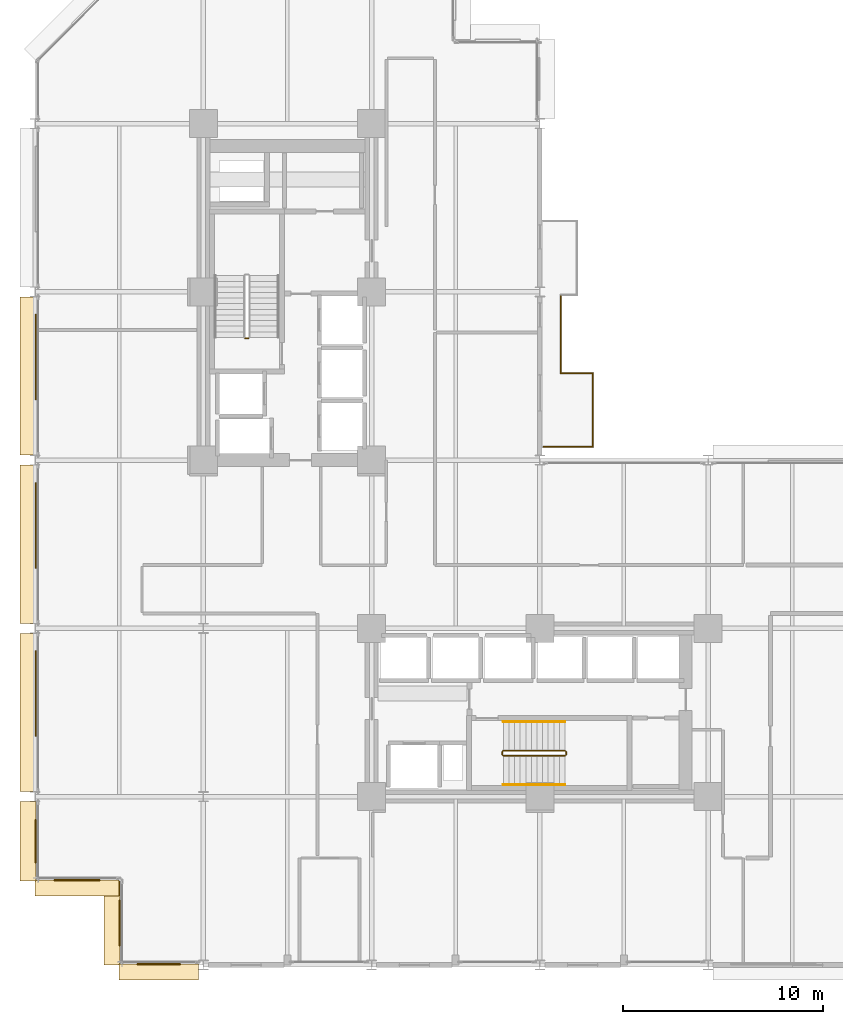
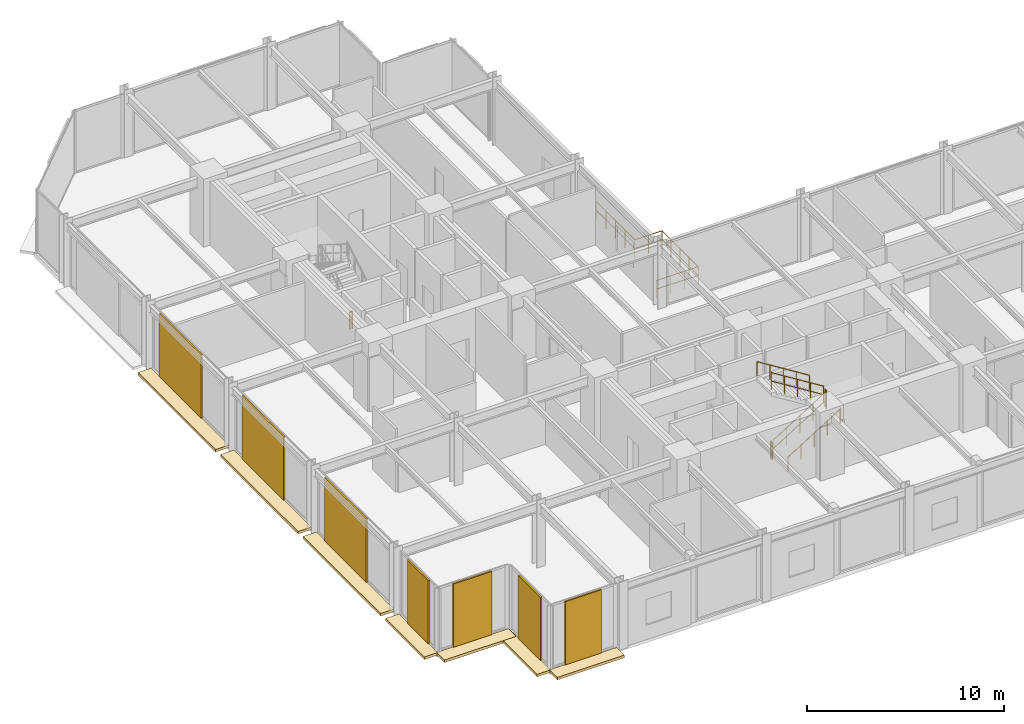
# One storey, part 23 of 25: 14 coverings, 11 railings.
"""IFC4 building model written with IfcOpenShell, lengths in metres."""

from ifc_helpers import new_model, si_unit, direction, frame, origin, origin_2d, place, context, subcontext, project, spatial, polyline, rectangle, circle, outline, extrude, material, layer, layer_set, type_object, element, save


model = new_model("IFC4")

# Units and contexts
model_context = context("Model", 3, precision=1e-05, world=origin(), true_north=direction((0.0, 1.0)))
body_context = subcontext(model_context, "Body", "Model", "MODEL_VIEW")
ifc_project = project(units=[si_unit("LENGTHUNIT", "METRE"), si_unit("AREAUNIT", "SQUARE_METRE"), si_unit("VOLUMEUNIT", "CUBIC_METRE"), si_unit("PLANEANGLEUNIT", "RADIAN"), si_unit("MASSUNIT", "GRAM", prefix="KILO")], contexts=[model_context])

# Site, building, storey
site_placement = place(None, origin())
site = spatial("IfcSite", under=ifc_project, at=site_placement, CompositionType="ELEMENT")
building_placement = place(site_placement, origin())
building = spatial("IfcBuilding", under=site, at=building_placement, Name="Nerrivon Quay Data Exchange", CompositionType="ELEMENT")
storey_placement = place(building_placement, frame((0.0, 0.0, 24.800048828125)))
storey = spatial("IfcBuildingStorey", under=building, at=storey_placement, Name="L05", CompositionType="ELEMENT", Elevation=24.800048828125)

# Coverings
ifc_material_1 = material(Name="Architectural terracotta ceramic", Category="masonry")
ifc_layer_1 = layer(ifc_material_1, 0.159912109375)
ifc_layer_set_1 = layer_set([ifc_layer_1], Name="Architectural terracotta ceramic")
covering_type_1 = type_object("IfcCoveringType", Name="COV-BLD-TERR", PredefinedType="CLADDING", material=ifc_layer_set_1)
covering_1_placement = place(storey_placement, frame((0.0, 0.0, -0.16015625)))
element("IfcCovering", 1, at=covering_1_placement, inside=storey, type_object=covering_type_1, Name="L05 Horizontal Terracotta SOLAR SCREEN Blade", PredefinedType="CLADDING", context=body_context, shape_type="SweptSolid", body=[
    extrude(outline(polyline([(8.14990234375, 0.0400390625), (4.199951171875, 0.0400390625), (4.199951171875, -0.75), (8.14990234375, -0.75), (8.14990234375, 0.0400390625)])), origin(), (0.0, 0.0, 1.0), 0.16015625),
])
covering_2_placement = place(storey_placement, frame((0.0, 0.0, -0.16015625)))
element("IfcCovering", 2, at=covering_2_placement, inside=storey, type_object=covering_type_1, Name="L05 Horizontal Terracotta SOLAR SCREEN Blade", PredefinedType="CLADDING", context=body_context, shape_type="SweptSolid", body=[
    extrude(outline(polyline([(4.239990234375, 0.0), (4.239990234375, 4.199951171875), (3.449951171875, 4.199951171875), (3.449951171875, 0.0), (4.239990234375, 0.0)])), origin(), (0.0, 0.0, 1.0), 0.16015625),
])
covering_3_placement = place(storey_placement, frame((0.0, 0.0, -0.16015625)))
element("IfcCovering", 3, at=covering_3_placement, inside=storey, type_object=covering_type_1, Name="L05 Horizontal Terracotta SOLAR SCREEN Blade", PredefinedType="CLADDING", context=body_context, shape_type="SweptSolid", body=[
    extrude(outline(polyline([(4.199951171875, 4.239990234375), (0.0, 4.239990234375), (0.0, 3.449951171875), (4.199951171875, 3.449951171875), (4.199951171875, 4.239990234375)])), origin(), (0.0, 0.0, 1.0), 0.16015625),
])
covering_4_placement = place(storey_placement, frame((0.0, 0.0, -0.16015625)))
element("IfcCovering", 4, at=covering_4_placement, inside=storey, type_object=covering_type_1, Name="L05 Horizontal Terracotta SOLAR SCREEN Blade", PredefinedType="CLADDING", context=body_context, shape_type="SweptSolid", body=[
    extrude(outline(polyline([(0.0400390625, 4.199951171875), (0.0400390625, 8.14990234375), (-0.75, 8.14990234375), (-0.75, 4.199951171875), (0.0400390625, 4.199951171875)])), origin(), (0.0, 0.0, 1.0), 0.16015625),
])
covering_5_placement = place(storey_placement, frame((0.0, 0.0, -0.16015625)))
element("IfcCovering", 5, at=covering_5_placement, inside=storey, type_object=covering_type_1, Name="L05 Horizontal Terracotta SOLAR SCREEN Blade", PredefinedType="CLADDING", context=body_context, shape_type="SweptSolid", body=[
    extrude(outline(polyline([(0.0400390625, 8.64990234375), (0.0400390625, 16.550048828125), (-0.75, 16.550048828125), (-0.75, 8.64990234375), (0.0400390625, 8.64990234375)])), origin(), (0.0, 0.0, 1.0), 0.16015625),
])
covering_6_placement = place(storey_placement, frame((0.0, 0.0, -0.16015625)))
element("IfcCovering", 6, at=covering_6_placement, inside=storey, type_object=covering_type_1, Name="L05 Horizontal Terracotta SOLAR SCREEN Blade", PredefinedType="CLADDING", context=body_context, shape_type="SweptSolid", body=[
    extrude(outline(polyline([(0.0400390625, 17.050048828125), (0.0400390625, 24.949951171875), (-0.75, 24.949951171875), (-0.75, 17.050048828125), (0.0400390625, 17.050048828125)])), origin(), (0.0, 0.0, 1.0), 0.16015625),
])
covering_7_placement = place(storey_placement, frame((0.0, 0.0, -0.16015625)))
element("IfcCovering", 7, at=covering_7_placement, inside=storey, type_object=covering_type_1, Name="L05 Horizontal Terracotta SOLAR SCREEN Blade", PredefinedType="CLADDING", context=body_context, shape_type="SweptSolid", body=[
    extrude(outline(polyline([(0.0400390625, 25.449951171875), (0.0400390625, 33.35009765625), (-0.75, 33.35009765625), (-0.75, 25.449951171875), (0.0400390625, 25.449951171875)])), origin(), (0.0, 0.0, 1.0), 0.16015625),
])
ifc_layer_2 = layer(ifc_material_1, 0.090087890625)
ifc_layer_set_2 = layer_set([ifc_layer_2], Name="Architectural terracotta ceramic")
covering_type_2 = type_object("IfcCoveringType", Name="COV-SCR-TERR", PredefinedType="CLADDING", material=ifc_layer_set_2)
covering_8_placement = place(storey_placement, frame((6.175048828125, 0.044921875, 0.0), z_axis=(0.0, 0.0, 1.0), x_axis=(-1.0, 0.0, 0.0)))
element("IfcCovering", 8, at=covering_8_placement, inside=storey, type_object=covering_type_2, Name="L05 Perforated Terracotta SOLAR SCREEN Cassette", PredefinedType="CLADDING", context=body_context, shape_type="SweptSolid", body=[
    extrude(rectangle(XDim=2.133056640625, YDim=0.090087890625, at=origin_2d()), origin(), (0.0, 0.0, 1.0), 3.925048828125),
])
for number, where, z_axis, x_axis, name in (
    (9, (4.2451171875, 2.10009765625, 0.0), (0.0, 0.0, 1.0), (0.0, 1.0, 0.0), "L05 Perforated Terracotta SOLAR SCREEN Cassette"),
    (10, (2.10009765625, 4.2451171875, 0.0), (0.0, 0.0, 1.0), (-1.0, 0.0, 0.0), "L05 Perforated Terracotta SOLAR SCREEN Cassette"),
):
    element("IfcCovering", number, at=place(storey_placement, frame(where, z_axis=z_axis, x_axis=x_axis)), inside=storey, type_object=covering_type_2, Name=name, PredefinedType="CLADDING", context=body_context, shape_type="SweptSolid", body=[
        extrude(rectangle(XDim=2.26806640625, YDim=0.090087890625, at=origin_2d()), origin(), (0.0, 0.0, 1.0), 3.925048828125),
    ])
covering_9_placement = place(storey_placement, frame((0.044921875, 6.175048828125, 0.0), z_axis=(0.0, 0.0, 1.0), x_axis=(0.0, 1.0, 0.0)))
element("IfcCovering", 11, at=covering_9_placement, inside=storey, type_object=covering_type_2, Name="L05 Perforated Terracotta SOLAR SCREEN Cassette", PredefinedType="CLADDING", context=body_context, shape_type="SweptSolid", body=[
    extrude(rectangle(XDim=2.133056640625, YDim=0.090087890625, at=origin_2d()), origin(), (0.0, 0.0, 1.0), 3.925048828125),
])
for number, where, z_axis, x_axis, name in (
    (12, (0.044921875, 13.548095703125, 0.0), (0.0, 0.0, 1.0), (0.0, 1.0, 0.0), "L05 Perforated Terracotta SOLAR SCREEN Cassette"),
    (13, (0.044921875, 21.947998046875, 0.0), (0.0, 0.0, 1.0), (0.0, 1.0, 0.0), "L05 Perforated Terracotta SOLAR SCREEN Cassette"),
    (14, (0.044921875, 30.347900390625, 0.0), (0.0, 0.0, 1.0), (0.0, 1.0, 0.0), "L05 Perforated Terracotta SOLAR SCREEN Cassette"),
):
    element("IfcCovering", number, at=place(storey_placement, frame(where, z_axis=z_axis, x_axis=x_axis)), inside=storey, type_object=covering_type_2, Name=name, PredefinedType="CLADDING", context=body_context, shape_type="SweptSolid", body=[
        extrude(rectangle(XDim=4.26611328125, YDim=0.090087890625, at=origin_2d()), origin(), (0.0, 0.0, 1.0), 3.925048828125),
    ])

# Railings
ifc_material_2 = material(Name="Steel Grade C350L0 (350 MPa)", Category="steel")
railing_type_1 = type_object("IfcRailingType", Name="RAIL-GUARD-GR2", PredefinedType="BALUSTRADE", material=ifc_material_2)
railing_1_placement = place(storey_placement, frame((26.239990234375, 29.5400390625, 0.0)))
element("IfcRailing", 15, at=railing_1_placement, inside=storey, type_object=railing_type_1, Name="L05 Verandah Balcony Guard 1.1 1", PredefinedType="BALUSTRADE", context=body_context, shape_type="SweptSolid", body=[
    extrude(circle(Radius=0.02392578125, at=origin_2d()), frame((0.0, 0.0, 1.09619140625), z_axis=(1.0, 0.0, 0.0), x_axis=(0.0, 1.0, 0.0)), (0.0, 0.0, 1.0), 1.60009765625),
    extrude(circle(Radius=0.02392578125, at=origin_2d()), frame((0.0, 0.0, 0.56005859375), z_axis=(1.0, 0.0, 0.0), x_axis=(0.0, 1.0, 0.0)), (0.0, 0.0, 1.0), 1.60009765625),
    extrude(circle(Radius=0.02099609375, at=origin_2d()), origin(), (0.0, 0.0, 1.0), 1.072021484375),
    extrude(circle(Radius=0.02099609375, at=origin_2d()), frame((0.800048828125, 0.0, 0.0)), (0.0, 0.0, 1.0), 1.072021484375),
    extrude(circle(Radius=0.02099609375, at=origin_2d()), frame((1.60009765625, 0.0, 0.0)), (0.0, 0.0, 1.0), 1.072021484375),
])
railing_2_placement = place(storey_placement, frame((27.840087890625, 29.5400390625, 0.0)))
element("IfcRailing", 16, at=railing_2_placement, inside=storey, type_object=railing_type_1, Name="L05 Verandah Balcony Guard 1.2 1", PredefinedType="BALUSTRADE", context=body_context, shape_type="SweptSolid", body=[
    extrude(circle(Radius=0.02392578125, at=origin_2d()), frame((0.0, 0.0, 1.09619140625), z_axis=(0.0, -1.0, 0.0), x_axis=(1.0, 0.0, 0.0)), (0.0, 0.0, 1.0), 3.679931640625),
    extrude(circle(Radius=0.02392578125, at=origin_2d()), frame((0.0, 0.0, 0.56005859375), z_axis=(0.0, -1.0, 0.0), x_axis=(1.0, 0.0, 0.0)), (0.0, 0.0, 1.0), 3.679931640625),
    extrude(circle(Radius=0.02099609375, at=origin_2d()), origin(), (0.0, 0.0, 1.0), 1.072021484375),
    extrude(circle(Radius=0.02099609375, at=origin_2d()), frame((0.0, -0.919921875, 0.0)), (0.0, 0.0, 1.0), 1.072021484375),
    extrude(circle(Radius=0.02099609375, at=origin_2d()), frame((0.0, -1.83984375, 0.0)), (0.0, 0.0, 1.0), 1.072021484375),
    extrude(circle(Radius=0.02099609375, at=origin_2d()), frame((0.0, -2.760009765625, 0.0)), (0.0, 0.0, 1.0), 1.072021484375),
    extrude(circle(Radius=0.02099609375, at=origin_2d()), frame((0.0, -3.679931640625, 0.0)), (0.0, 0.0, 1.0), 1.072021484375),
])
railing_3_placement = place(storey_placement, frame((27.840087890625, 25.860107421875, 0.0)))
element("IfcRailing", 17, at=railing_3_placement, inside=storey, type_object=railing_type_1, Name="L05 Verandah Balcony Guard 1.3 1", PredefinedType="BALUSTRADE", context=body_context, shape_type="SweptSolid", body=[
    extrude(circle(Radius=0.02392578125, at=origin_2d()), frame((0.0, 0.0, 1.09619140625), z_axis=(-1.0, 0.0, 0.0), x_axis=(0.0, -1.0, 0.0)), (0.0, 0.0, 1.0), 2.460205078125),
    extrude(circle(Radius=0.02392578125, at=origin_2d()), frame((0.0, 0.0, 0.56005859375), z_axis=(-1.0, 0.0, 0.0), x_axis=(0.0, -1.0, 0.0)), (0.0, 0.0, 1.0), 2.460205078125),
    extrude(circle(Radius=0.02099609375, at=origin_2d()), origin(), (0.0, 0.0, 1.0), 1.072021484375),
    extrude(circle(Radius=0.02099609375, at=origin_2d()), frame((-0.820068359375, 0.0, 0.0)), (0.0, 0.0, 1.0), 1.072021484375),
    extrude(circle(Radius=0.02099609375, at=origin_2d()), frame((-1.64013671875, 0.0, 0.0)), (0.0, 0.0, 1.0), 1.072021484375),
    extrude(circle(Radius=0.02099609375, at=origin_2d()), frame((-2.460205078125, 0.0, 0.0)), (0.0, 0.0, 1.0), 1.072021484375),
])
railing_4_placement = place(storey_placement, frame((26.239990234375, 33.4599609375, 0.0)))
element("IfcRailing", 18, at=railing_4_placement, inside=storey, type_object=railing_type_1, Name="L05 Verandah Balcony Guard 1.7 1", PredefinedType="BALUSTRADE", context=body_context, shape_type="SweptSolid", body=[
    extrude(circle(Radius=0.02392578125, at=origin_2d()), frame((0.0, 0.0, 1.09619140625), z_axis=(0.0, -1.0, 0.0), x_axis=(1.0, 0.0, 0.0)), (0.0, 0.0, 1.0), 3.919921875),
    extrude(circle(Radius=0.02392578125, at=origin_2d()), frame((0.0, 0.0, 0.56005859375), z_axis=(0.0, -1.0, 0.0), x_axis=(1.0, 0.0, 0.0)), (0.0, 0.0, 1.0), 3.919921875),
    extrude(circle(Radius=0.02099609375, at=origin_2d()), origin(), (0.0, 0.0, 1.0), 1.072021484375),
    extrude(circle(Radius=0.02099609375, at=origin_2d()), frame((0.0, -0.97998046875, 0.0)), (0.0, 0.0, 1.0), 1.072021484375),
    extrude(circle(Radius=0.02099609375, at=origin_2d()), frame((0.0, -1.9599609375, 0.0)), (0.0, 0.0, 1.0), 1.072021484375),
    extrude(circle(Radius=0.02099609375, at=origin_2d()), frame((0.0, -2.93994140625, 0.0)), (0.0, 0.0, 1.0), 1.072021484375),
    extrude(circle(Radius=0.02099609375, at=origin_2d()), frame((0.0, -3.919921875, 0.0)), (0.0, 0.0, 1.0), 1.072021484375),
])
railing_type_2 = type_object("IfcRailingType", Name="RAIL-HAND-HR1", PredefinedType="HANDRAIL", material=ifc_material_2)
railing_5_placement = place(storey_placement, frame((23.3798828125, 9.0, 0.175048828125)))
element("IfcRailing", 19, at=railing_5_placement, inside=storey, type_object=railing_type_2, Name="L05 ST02 stair handrail 1", PredefinedType="HANDRAIL", context=body_context, shape_type="SweptSolid", body=[
    extrude(circle(Radius=0.02392578125, at=origin_2d()), frame((0.0, 0.0, 0.8759765625), z_axis=(0.848028513186, 0.0, 0.529950602248), x_axis=(0.0, 1.0, 0.0)), (0.0, 0.0, 1.0), 3.632080078125),
    extrude(circle(Radius=0.02099609375, at=origin_2d()), origin(), (0.0, 0.0, 1.0), 0.851806640625),
    extrude(circle(Radius=0.02099609375, at=origin_2d()), frame((0.77001953125, 0.0, 0.481201171875)), (0.0, 0.0, 1.0), 0.851806640625),
    extrude(circle(Radius=0.02099609375, at=origin_2d()), frame((1.5400390625, 0.0, 0.96240234375)), (0.0, 0.0, 1.0), 0.851806640625),
    extrude(circle(Radius=0.02099609375, at=origin_2d()), frame((2.31005859375, 0.0, 1.443603515625)), (0.0, 0.0, 1.0), 0.851806640625),
    extrude(circle(Radius=0.02099609375, at=origin_2d()), frame((3.080078125, 0.0, 1.9248046875)), (0.0, 0.0, 1.0), 0.851806640625),
])
railing_6_placement = place(storey_placement, frame((26.4599609375, 12.14990234375, 2.27490234375)))
element("IfcRailing", 20, at=railing_6_placement, inside=storey, type_object=railing_type_2, Name="L05 ST02 stair handrail 2", PredefinedType="HANDRAIL", context=body_context, shape_type="SweptSolid", body=[
    extrude(circle(Radius=0.02392578125, at=origin_2d()), frame((0.0, 0.0, 0.8759765625), z_axis=(-0.847998304005, 0.0, 0.529998940003), x_axis=(0.0, -1.0, 0.0)), (0.0, 0.0, 1.0), 3.632080078125),
    extrude(circle(Radius=0.02099609375, at=origin_2d()), origin(), (0.0, 0.0, 1.0), 0.851806640625),
    extrude(circle(Radius=0.02099609375, at=origin_2d()), frame((-0.77001953125, 0.0, 0.481201171875)), (0.0, 0.0, 1.0), 0.851806640625),
    extrude(circle(Radius=0.02099609375, at=origin_2d()), frame((-1.5400390625, 0.0, 0.96240234375)), (0.0, 0.0, 1.0), 0.851806640625),
    extrude(circle(Radius=0.02099609375, at=origin_2d()), frame((-2.31005859375, 0.0, 1.44384765625)), (0.0, 0.0, 1.0), 0.851806640625),
    extrude(circle(Radius=0.02099609375, at=origin_2d()), frame((-3.080078125, 0.0, 1.925048828125)), (0.0, 0.0, 1.0), 0.851806640625),
])
railing_type_3 = type_object("IfcRailingType", Name="RAIL-STAIR-GR1", PredefinedType="BALUSTRADE", material=ifc_material_2)
railing_7_placement = place(storey_placement, frame((10.64990234375, 31.280029296875, 0.0)))
element("IfcRailing", 21, at=railing_7_placement, inside=storey, type_object=railing_type_3, Name="L05 ST01 stair guard 4", PredefinedType="BALUSTRADE", context=body_context, shape_type="SweptSolid", body=[
    extrude(circle(Radius=0.02392578125, at=origin_2d()), frame((0.0, 0.0, 1.076171875), z_axis=(-1.0, 0.0, 0.0), x_axis=(0.0, -1.0, 0.0)), (0.0, 0.0, 1.0), 0.14990234375),
    extrude(circle(Radius=0.02392578125, at=origin_2d()), frame((0.0, 0.0, 0.550048828125), z_axis=(-1.0, 0.0, 0.0), x_axis=(0.0, -1.0, 0.0)), (0.0, 0.0, 1.0), 0.14990234375),
    extrude(circle(Radius=0.02099609375, at=origin_2d()), origin(), (0.0, 0.0, 1.0), 1.052001953125),
    extrude(circle(Radius=0.02099609375, at=origin_2d()), frame((-0.14990234375, 0.0, 0.0)), (0.0, 0.0, 1.0), 1.052001953125),
])
railing_8_placement = place(storey_placement, frame((23.3798828125, 10.449951171875, 0.175048828125)))
element("IfcRailing", 22, at=railing_8_placement, inside=storey, type_object=railing_type_3, Name="L05 ST02 stair guard 1", PredefinedType="BALUSTRADE", context=body_context, shape_type="SweptSolid", body=[
    extrude(circle(Radius=0.02392578125, at=origin_2d()), frame((0.0, 0.0, 1.076171875), z_axis=(0.848028513186, 0.0, 0.529950602248), x_axis=(0.0, 1.0, 0.0)), (0.0, 0.0, 1.0), 3.632080078125),
    extrude(circle(Radius=0.02392578125, at=origin_2d()), frame((0.0, 0.0, 0.550048828125), z_axis=(0.848028513186, 0.0, 0.529950602248), x_axis=(0.0, 1.0, 0.0)), (0.0, 0.0, 1.0), 3.632080078125),
    extrude(circle(Radius=0.02099609375, at=origin_2d()), origin(), (0.0, 0.0, 1.0), 1.052001953125),
    extrude(circle(Radius=0.02099609375, at=origin_2d()), frame((0.77001953125, 0.0, 0.481201171875)), (0.0, 0.0, 1.0), 1.052001953125),
    extrude(circle(Radius=0.02099609375, at=origin_2d()), frame((1.5400390625, 0.0, 0.96240234375)), (0.0, 0.0, 1.0), 1.052001953125),
    extrude(circle(Radius=0.02099609375, at=origin_2d()), frame((2.31005859375, 0.0, 1.443603515625)), (0.0, 0.0, 1.0), 1.052001953125),
    extrude(circle(Radius=0.02099609375, at=origin_2d()), frame((3.080078125, 0.0, 1.9248046875)), (0.0, 0.0, 1.0), 1.052001953125),
])
railing_9_placement = place(storey_placement, frame((26.510009765625, 10.5, 2.099853515625)))
element("IfcRailing", 23, at=railing_9_placement, inside=storey, type_object=railing_type_3, Name="L05 ST02 stair guard 2", PredefinedType="BALUSTRADE", context=body_context, shape_type="SweptSolid", body=[
    extrude(circle(Radius=0.02392578125, at=origin_2d()), frame((0.0, 0.0, 1.076171875), z_axis=(0.0, 1.0, 0.0), x_axis=(-1.0, 0.0, 0.0)), (0.0, 0.0, 1.0), 0.14990234375),
    extrude(circle(Radius=0.02392578125, at=origin_2d()), frame((0.0, 0.0, 0.550048828125), z_axis=(0.0, 1.0, 0.0), x_axis=(-1.0, 0.0, 0.0)), (0.0, 0.0, 1.0), 0.14990234375),
    extrude(circle(Radius=0.02099609375, at=origin_2d()), origin(), (0.0, 0.0, 1.0), 1.052001953125),
    extrude(circle(Radius=0.02099609375, at=origin_2d()), frame((0.0, 0.14990234375, 0.0)), (0.0, 0.0, 1.0), 1.052001953125),
])
railing_10_placement = place(storey_placement, frame((26.4599609375, 10.699951171875, 2.27490234375)))
element("IfcRailing", 24, at=railing_10_placement, inside=storey, type_object=railing_type_3, Name="L05 ST02 stair guard 3", PredefinedType="BALUSTRADE", context=body_context, shape_type="SweptSolid", body=[
    extrude(circle(Radius=0.02392578125, at=origin_2d()), frame((0.0, 0.0, 1.076171875), z_axis=(-0.847998304005, 0.0, 0.529998940003), x_axis=(0.0, -1.0, 0.0)), (0.0, 0.0, 1.0), 3.632080078125),
    extrude(circle(Radius=0.02392578125, at=origin_2d()), frame((0.0, 0.0, 0.550048828125), z_axis=(-0.847998304005, 0.0, 0.529998940003), x_axis=(0.0, -1.0, 0.0)), (0.0, 0.0, 1.0), 3.632080078125),
    extrude(circle(Radius=0.02099609375, at=origin_2d()), origin(), (0.0, 0.0, 1.0), 1.052001953125),
    extrude(circle(Radius=0.02099609375, at=origin_2d()), frame((-0.77001953125, 0.0, 0.481201171875)), (0.0, 0.0, 1.0), 1.052001953125),
    extrude(circle(Radius=0.02099609375, at=origin_2d()), frame((-1.5400390625, 0.0, 0.96240234375)), (0.0, 0.0, 1.0), 1.052001953125),
    extrude(circle(Radius=0.02099609375, at=origin_2d()), frame((-2.31005859375, 0.0, 1.44384765625)), (0.0, 0.0, 1.0), 1.052001953125),
    extrude(circle(Radius=0.02099609375, at=origin_2d()), frame((-3.080078125, 0.0, 1.925048828125)), (0.0, 0.0, 1.0), 1.052001953125),
])
railing_11_placement = place(storey_placement, frame((23.330078125, 10.5, 0.0)))
element("IfcRailing", 25, at=railing_11_placement, inside=storey, type_object=railing_type_3, Name="L05 ST02 stair guard 4", PredefinedType="BALUSTRADE", context=body_context, shape_type="SweptSolid", body=[
    extrude(circle(Radius=0.02392578125, at=origin_2d()), frame((0.0, 0.0, 1.076171875), z_axis=(0.0, 1.0, 0.0), x_axis=(-1.0, 0.0, 0.0)), (0.0, 0.0, 1.0), 0.14990234375),
    extrude(circle(Radius=0.02392578125, at=origin_2d()), frame((0.0, 0.0, 0.550048828125), z_axis=(0.0, 1.0, 0.0), x_axis=(-1.0, 0.0, 0.0)), (0.0, 0.0, 1.0), 0.14990234375),
    extrude(circle(Radius=0.02099609375, at=origin_2d()), origin(), (0.0, 0.0, 1.0), 1.052001953125),
    extrude(circle(Radius=0.02099609375, at=origin_2d()), frame((0.0, 0.14990234375, 0.0)), (0.0, 0.0, 1.0), 1.052001953125),
])

save(model, "model.ifc")
